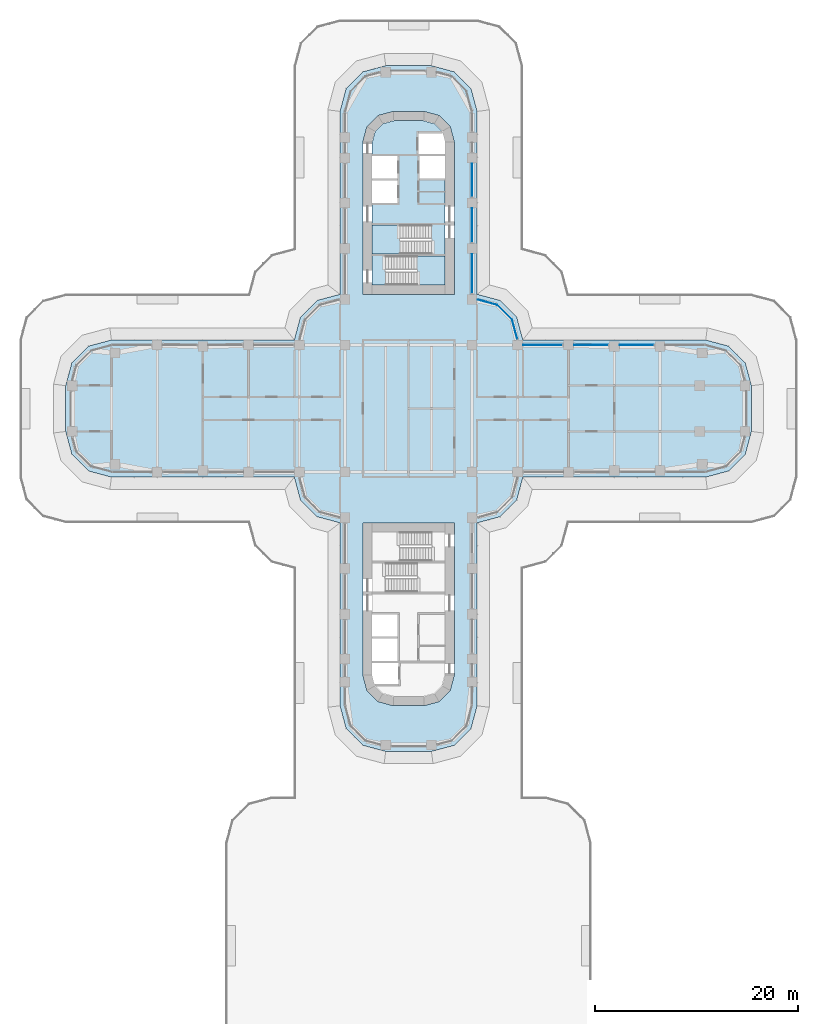
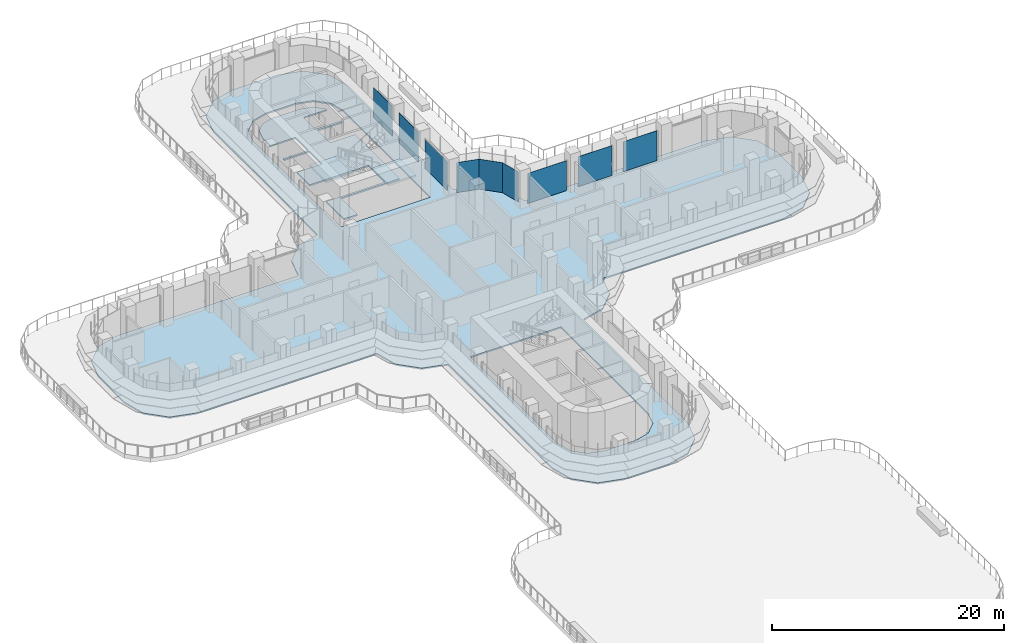
# One storey, part 15 of 26: 9 plates, 4 slabs, 7 elements without a shape of their own.
"""IFC4 building model written with IfcOpenShell, lengths in metres."""

import ifcopenshell
import ifcopenshell.guid

model = None  # the IFC model being written
_history = None  # IfcOwnerHistory: only IFC2X3 demands one
_inside = {}  # id of a spatial element -> (the spatial element, [elements in it])
_under = {}  # id of a project, library or spatial element -> (it, [spatial elements below it])
_declared = {}  # id of a project -> (the project, [libraries it declares])
_typed = {}  # id of a type object -> (the type object, [elements of that type])
_made_of = {}  # id of a material, layer set ... -> (it, [elements and type objects made of it])


def new_model(schema):
    """Start an empty IFC model of exactly this schema.

    Asked for "IFC4X3", IfcOpenShell would pick the latest addendum, in which some entities
    have other attributes; the version numbers below select the first issue.
    IFC2X3 requires an IfcOwnerHistory on every rooted entity: one is made here for all.
    """
    global model, _history
    if schema == "IFC4X3":
        model = ifcopenshell.file(schema_version=(4, 3, 0, 0))
    else:
        model = ifcopenshell.file(schema=schema)
    _inside.clear()
    _under.clear()
    _declared.clear()
    _typed.clear()
    _made_of.clear()
    _history = None
    if model.schema == "IFC2X3":
        org = make("IfcOrganization", Name="unknown")
        user = make(
            "IfcPersonAndOrganization",
            ThePerson=make("IfcPerson", FamilyName="unknown"),
            TheOrganization=org,
        )
        app = make(
            "IfcApplication",
            ApplicationDeveloper=org,
            Version="unknown",
            ApplicationFullName="unknown",
            ApplicationIdentifier="unknown",
        )
        _history = make(
            "IfcOwnerHistory",
            OwningUser=user,
            OwningApplication=app,
            ChangeAction="ADDED",
            CreationDate=0,
        )
    return model


def make(cls, **values):
    """One entity of the class cls with the attributes given. An attribute that is None is left unset."""
    return model.create_entity(
        cls, **{name: value for name, value in values.items() if value is not None}
    )


def rooted(cls, **values):
    """An entity with a GlobalId (a new one), such as an element, a storey or a relation."""
    return make(cls, GlobalId=ifcopenshell.guid.new(), OwnerHistory=_history, **values)


def si_unit(unit_type, name, prefix=None):
    """IfcSIUnit, for example si_unit("LENGTHUNIT", "METRE", prefix="MILLI")."""
    return make("IfcSIUnit", UnitType=unit_type, Prefix=prefix, Name=name)


def assignment(units):
    """IfcUnitAssignment: the units of a project."""
    return None if units is None else make("IfcUnitAssignment", Units=units)


def point(xyz):
    """IfcCartesianPoint."""
    return None if xyz is None else make("IfcCartesianPoint", Coordinates=xyz)


def direction(xyz):
    """IfcDirection."""
    return None if xyz is None else make("IfcDirection", DirectionRatios=xyz)


def frame(location, z_axis=None, x_axis=None):
    """IfcAxis2Placement3D, a coordinate frame: its origin and axes. An axis left out is left unset."""
    return make(
        "IfcAxis2Placement3D",
        Location=point(location),
        Axis=direction(z_axis),
        RefDirection=direction(x_axis),
    )


def origin():
    """The frame at (0, 0, 0) with its axes left unset."""
    return frame((0.0, 0.0, 0.0))


def place(relative_to, where):
    """IfcLocalPlacement: puts the frame where relative to a parent placement (None: the world)."""
    return make(
        "IfcLocalPlacement", PlacementRelTo=relative_to, RelativePlacement=where
    )


def context(
    kind, dimensions, precision=None, world=None, true_north=None, identifier=None
):
    """IfcGeometricRepresentationContext, for example the 3D "Model" context."""
    return make(
        "IfcGeometricRepresentationContext",
        ContextIdentifier=identifier,
        ContextType=kind,
        CoordinateSpaceDimension=dimensions,
        Precision=precision,
        WorldCoordinateSystem=world,
        TrueNorth=true_north,
    )


def subcontext(parent, identifier, kind, view, scale=None):
    """IfcGeometricRepresentationSubContext, for example "Body" below "Model"."""
    return make(
        "IfcGeometricRepresentationSubContext",
        ContextIdentifier=identifier,
        ContextType=kind,
        ParentContext=parent,
        TargetScale=scale,
        TargetView=view,
    )


def project(units=None, contexts=None):
    """IfcProject with its units and contexts."""
    return rooted(
        "IfcProject",
        Name="project",
        RepresentationContexts=contexts,
        UnitsInContext=assignment(units),
    )


def spatial(cls, under=None, at=None, **own):
    """A site, building, storey or space (cls), placed at a placement, below another one or the project."""
    s = rooted(cls, ObjectPlacement=at, **own)
    if under is not None:
        _under.setdefault(under.id(), (under, []))[1].append(s)
    return s


def polyline(points):
    """IfcPolyline through the points."""
    return make("IfcPolyline", Points=[point(p) for p in points])


def outline(outer, holes=None, kind="AREA"):
    """IfcArbitraryClosedProfileDef: a profile drawn as a closed curve; with holes, ...WithVoids."""
    if holes is None:
        return make("IfcArbitraryClosedProfileDef", ProfileType=kind, OuterCurve=outer)
    return make(
        "IfcArbitraryProfileDefWithVoids",
        ProfileType=kind,
        OuterCurve=outer,
        InnerCurves=holes,
    )


def extrude(swept, where, along, depth):
    """IfcExtrudedAreaSolid: the profile swept, set in the frame where, extruded along a direction by depth."""
    return make(
        "IfcExtrudedAreaSolid",
        SweptArea=swept,
        Position=where,
        ExtrudedDirection=direction(along),
        Depth=depth,
    )


def shape(context_of_items, identifier, shape_type, items):
    """IfcShapeRepresentation: the items that make up one representation, for example the "Body"."""
    return make(
        "IfcShapeRepresentation",
        ContextOfItems=context_of_items,
        RepresentationIdentifier=identifier,
        RepresentationType=shape_type,
        Items=items,
    )


def source(mapping_origin, context_of_items, identifier, shape_type, items):
    """IfcRepresentationMap: a shape defined once, which mapped items show again and again."""
    return make(
        "IfcRepresentationMap",
        MappingOrigin=mapping_origin,
        MappedRepresentation=shape(context_of_items, identifier, shape_type, items),
    )


def transform(
    local_origin,
    x_axis=None,
    y_axis=None,
    z_axis=None,
    scale=None,
    scale2=None,
    scale3=None,
    uniform=True,
):
    """IfcCartesianTransformationOperator3D, or its non-uniform kind. x_axis, y_axis, z_axis: its Axis1, 2, 3."""
    if uniform:
        return make(
            "IfcCartesianTransformationOperator3D",
            Axis1=direction(x_axis),
            Axis2=direction(y_axis),
            LocalOrigin=point(local_origin),
            Scale=scale,
            Axis3=direction(z_axis),
        )
    return make(
        "IfcCartesianTransformationOperator3DnonUniform",
        Axis1=direction(x_axis),
        Axis2=direction(y_axis),
        LocalOrigin=point(local_origin),
        Scale=scale,
        Axis3=direction(z_axis),
        Scale2=scale2,
        Scale3=scale3,
    )


def mapped(mapping_source, mapping_target):
    """IfcMappedItem: shows the shape of a source again, moved by a transform."""
    return make(
        "IfcMappedItem", MappingSource=mapping_source, MappingTarget=mapping_target
    )


def material(Name=None, Category=None):
    """IfcMaterial."""
    return make("IfcMaterial", Name=Name, Category=Category)


def layer(
    of_material, thickness, ventilated=None, Name=None, Category=None, Priority=None
):
    """IfcMaterialLayer: one layer of a wall or slab, of a material (None: an air gap)."""
    return make(
        "IfcMaterialLayer",
        Material=of_material,
        LayerThickness=thickness,
        IsVentilated=ventilated,
        Name=Name,
        Category=Category,
        Priority=Priority,
    )


def layer_set(layers, Name=None):
    """IfcMaterialLayerSet."""
    return make("IfcMaterialLayerSet", MaterialLayers=layers, LayerSetName=Name)


def made_of(thing, what):
    """Note that an element or type object is made of a material, layer set ...; save() writes the relation."""
    if what is not None:
        _made_of.setdefault(what.id(), (what, []))[1].append(thing)
    return thing


def type_object(cls, material=None, **own):
    """A type object (cls), such as IfcWallType, which elements share."""
    return made_of(rooted(cls, **own), material)


def element(
    cls,
    number,
    at=None,
    inside=None,
    cuts=None,
    type_object=None,
    material=None,
    context=None,
    identifier="Body",
    shape_type=None,
    held_by="IfcProductDefinitionShape",
    body=None,
    shapes=None,
    **own,
):
    """One element of the class cls, such as IfcWall. Its Tag is "e" and its number.

    at: its placement. inside: the storey or other place that contains it. cuts: it is an
    opening in that element (IfcRelVoidsElement). A single representation is given by context,
    identifier, shape_type and body (its items); several are given by shapes. held_by: the class
    of the entity that holds the representations. save() writes the other relations.
    """
    e = rooted(cls, Tag="e%d" % number, ObjectPlacement=at, **own)
    if body is not None:
        shapes = [shape(context, identifier, shape_type, body)]
    if shapes is not None:
        e.Representation = make(held_by, Representations=shapes)
    if inside is not None:
        _inside.setdefault(inside.id(), (inside, []))[1].append(e)
    if cuts is not None:
        rooted(
            "IfcRelVoidsElement", RelatingBuildingElement=cuts, RelatedOpeningElement=e
        )
    if type_object is not None:
        _typed.setdefault(type_object.id(), (type_object, []))[1].append(e)
    return made_of(e, material)


def aggregate(whole, parts):
    """IfcRelAggregates: a whole, such as a stair, and the parts it consists of."""
    return rooted("IfcRelAggregates", RelatingObject=whole, RelatedObjects=parts)


def save(model, path):
    """Write the relations noted so far, then the file.

    IfcRelAggregates (storeys below a building ...), IfcRelContainedInSpatialStructure (elements
    in a storey), IfcRelDefinesByType, IfcRelAssociatesMaterial and IfcRelDeclares: one each for
    every whole, place, type object, material and project.
    """
    for whole, parts in _under.values():
        aggregate(whole, parts)
    for where, things in _inside.values():
        rooted(
            "IfcRelContainedInSpatialStructure",
            RelatedElements=things,
            RelatingStructure=where,
        )
    for kind, things in _typed.values():
        rooted("IfcRelDefinesByType", RelatedObjects=things, RelatingType=kind)
    for what, things in _made_of.values():
        rooted("IfcRelAssociatesMaterial", RelatedObjects=things, RelatingMaterial=what)
    for by, libraries in _declared.values():
        rooted("IfcRelDeclares", RelatingContext=by, RelatedDefinitions=libraries)
    model.write(path)


model = new_model("IFC4")

# Units and contexts
model_context = context("Model", 3, precision=1e-05, world=origin(), true_north=direction((0.0, 1.0)))
body_context = subcontext(model_context, "Body", "Model", "MODEL_VIEW")
ifc_project = project(units=[si_unit("LENGTHUNIT", "METRE"), si_unit("AREAUNIT", "SQUARE_METRE"), si_unit("VOLUMEUNIT", "CUBIC_METRE"), si_unit("PLANEANGLEUNIT", "RADIAN"), si_unit("MASSUNIT", "GRAM", prefix="KILO")], contexts=[model_context])

# Site, building, storey
site_placement = place(None, origin())
site = spatial("IfcSite", under=ifc_project, at=site_placement, CompositionType="ELEMENT")
building_placement = place(site_placement, origin())
building = spatial("IfcBuilding", under=site, at=building_placement, Name="Zarbagh Exchange Tower", CompositionType="ELEMENT")
storey_placement = place(building_placement, frame((0.0, 0.0, 27.0)))
storey = spatial("IfcBuildingStorey", under=building, at=storey_placement, Name="L05", CompositionType="ELEMENT", Elevation=27.0)

# Slabs
ifc_material_1 = material(Name="Concrete C40/50", Category="concrete")
ifc_layer_1 = layer(ifc_material_1, 0.14990234375)
ifc_layer_set_1 = layer_set([ifc_layer_1], Name="Composite floor slab 150 C40/50")
slab_type_1 = type_object("IfcSlabType", Name="Composite floor slab 150 C40/50", PredefinedType="FLOOR", material=ifc_layer_set_1)
slab_1_placement = place(storey_placement, frame((0.0, 0.0, -0.14990234375)))
element("IfcSlab", 1, at=slab_1_placement, inside=storey, type_object=slab_type_1, Name="S5 composite floor slab", PredefinedType="FLOOR", context=body_context, shape_type="SweptSolid", body=[
    extrude(outline(polyline([(-2.25, -33.75), (-4.5, -33.147216796875), (-6.147216796875, -31.5), (-6.75, -29.25), (-6.75, -11.25), (-9.0, -10.647216796875), (-10.647216796875, -9.0), (-11.25, -6.75), (-29.25, -6.75), (-31.5, -6.147216796875), (-33.147216796875, -4.5), (-33.75, -2.25), (-33.75, 2.25), (-33.147216796875, 4.5), (-31.5, 6.147216796875), (-29.25, 6.75), (-11.25, 6.75), (-10.647216796875, 9.0), (-9.0, 10.647216796875), (-6.75, 11.25), (-6.75, 29.25), (-6.147216796875, 31.5), (-4.5, 33.147216796875), (-2.25, 33.75), (2.25, 33.75), (4.5, 33.147216796875), (6.147216796875, 31.5), (6.75, 29.25), (6.75, 11.25), (9.0, 10.647216796875), (10.647216796875, 9.0), (11.25, 6.75), (29.25, 6.75), (31.5, 6.147216796875), (33.147216796875, 4.5), (33.75, 2.25), (33.75, -2.25), (33.147216796875, -4.5), (31.5, -6.147216796875), (29.25, -6.75), (11.25, -6.75), (10.647216796875, -9.0), (9.0, -10.647216796875), (6.75, -11.25), (6.75, -29.25), (6.147216796875, -31.5), (4.5, -33.147216796875), (2.25, -33.75), (-2.25, -33.75)]), holes=[polyline([(4.5, 11.25), (4.5, 26.25), (4.09814453125, 27.75), (3.0, 28.84814453125), (1.5, 29.25), (-1.5, 29.25), (-3.0, 28.84814453125), (-4.09814453125, 27.75), (-4.5, 26.25), (-4.5, 11.25), (4.5, 11.25)]), polyline([(-1.5, -29.25), (1.5, -29.25), (3.0, -28.84814453125), (4.09814453125, -27.75), (4.5, -26.25), (4.5, -11.25), (-4.5, -11.25), (-4.5, -26.25), (-4.09814453125, -27.75), (-3.0, -28.84814453125), (-1.5, -29.25)])]), origin(), (0.0, 0.0, 1.0), 0.14990234375),
])
ifc_layer_2 = layer(ifc_material_1, 0.14990234375)
ifc_layer_set_2 = layer_set([ifc_layer_2], Name="Core floor slab 150 C40/50")
slab_type_2 = type_object("IfcSlabType", Name="Core floor slab 150 C40/50", PredefinedType="FLOOR", material=ifc_layer_set_2)
slab_2_placement = place(storey_placement, frame((0.0, 0.0, -0.14990234375)))
element("IfcSlab", 2, at=slab_2_placement, inside=storey, type_object=slab_type_2, Name="S17 core N", PredefinedType="FLOOR", context=body_context, shape_type="SweptSolid", body=[
    extrude(outline(polyline([(-3.60009765625, 12.14990234375), (-3.60009765625, 15.199951171875), (2.25, 15.199951171875), (2.25, 18.050048828125), (-3.60009765625, 18.050048828125), (-3.60009765625, 20.25), (-1.10009765625, 20.25), (-1.10009765625, 22.449951171875), (-3.60009765625, 22.449951171875), (-3.60009765625, 22.64990234375), (-1.10009765625, 22.64990234375), (-1.10009765625, 24.85009765625), (-3.60009765625, 24.85009765625), (-3.60009765625, 26.131591796875), (-3.291259765625, 27.2841796875), (-2.5341796875, 28.041259765625), (-1.381591796875, 28.35009765625), (1.381591796875, 28.35009765625), (2.5341796875, 28.041259765625), (3.291259765625, 27.2841796875), (3.340576171875, 27.10009765625), (1.0, 27.10009765625), (1.0, 25.050048828125), (3.60009765625, 25.050048828125), (3.60009765625, 24.85009765625), (1.10009765625, 24.85009765625), (1.10009765625, 22.64990234375), (3.60009765625, 22.64990234375), (3.60009765625, 15.0), (-2.25, 15.0), (-2.25, 12.14990234375), (-3.60009765625, 12.14990234375)])), origin(), (0.0, 0.0, 1.0), 0.14990234375),
])

# Stair, slab
stair_type = type_object("IfcStairType", Name="Exit stair two-flight half-turn", PredefinedType="HALF_TURN_STAIR", material=ifc_material_1)
stair_1_placement = place(storey_placement, origin())
stair_1 = element("IfcStair", 3, at=stair_1_placement, inside=storey, type_object=stair_type, Name="exit stair ST1", PredefinedType="HALF_TURN_STAIR")
ifc_layer_3 = layer(ifc_material_1, 0.199951171875)
ifc_layer_set_3 = layer_set([ifc_layer_3], Name="Stair landing 200 mm")
slab_type_3 = type_object("IfcSlabType", Name="Stair landing 200 mm", PredefinedType="LANDING", material=ifc_layer_set_3)
slab_3_placement = place(storey_placement, frame((0.0, 0.0, 1.89990234375)))
slab_3 = element("IfcSlab", 4, at=slab_3_placement, type_object=slab_type_3, Name="ST1 landing 1", PredefinedType="LANDING", context=body_context, shape_type="SweptSolid", body=[
    extrude(outline(polyline([(-0.830078125, 18.050048828125), (-3.60009765625, 18.050048828125), (-3.60009765625, 15.199951171875), (-0.830078125, 15.199951171875), (-0.830078125, 18.050048828125)])), origin(), (0.0, 0.0, 1.0), 0.2001953125),
])
aggregate(stair_1, [slab_3])

stair_2_placement = place(storey_placement, origin())
stair_2 = element("IfcStair", 5, at=stair_2_placement, inside=storey, type_object=stair_type, Name="exit stair ST2", PredefinedType="HALF_TURN_STAIR")
slab_4_placement = place(storey_placement, frame((0.0, 0.0, 1.89990234375)))
slab_4 = element("IfcSlab", 6, at=slab_4_placement, type_object=slab_type_3, Name="ST2 landing 1", PredefinedType="LANDING", context=body_context, shape_type="SweptSolid", body=[
    extrude(outline(polyline([(0.830078125, 12.14990234375), (3.60009765625, 12.14990234375), (3.60009765625, 15.0), (0.830078125, 15.0), (0.830078125, 12.14990234375)])), origin(), (0.0, 0.0, 1.0), 0.2001953125),
])
aggregate(stair_2, [slab_4])

# Curtain wall, plate
ifc_material_2 = material(Name="Anodised aluminium frame and glazing", Category="aluminium")
curtain_wall_type = type_object("IfcCurtainWallType", Name="CWA Ribbon glazing, lower zones", PredefinedType="NOTDEFINED", material=ifc_material_2)
curtain_wall_1_placement = place(storey_placement, origin())
curtain_wall_1 = element("IfcCurtainWall", 7, at=curtain_wall_1_placement, inside=storey, type_object=curtain_wall_type, Name="CWA18 curtain wall", PredefinedType="NOTDEFINED")
ifc_material_3 = material(Name="Low-e double glazed unit, 6+12+6 mm")
ifc_layer_4 = layer(ifc_material_3, 0.028076171875)
ifc_layer_set_4 = layer_set([ifc_layer_4], Name="PAA Glazing panel, Low-e double glazed unit, 6+12+6 mm")
plate_type = type_object("IfcPlateType", Name="PAA Glazing panel, Low-e double glazed unit, 6+12+6 mm", PredefinedType="CURTAIN_PANEL", material=ifc_layer_set_4)
shared_shape_1 = source(origin(), body_context, "Body", "SweptSolid", [
    extrude(outline(polyline([(0.0, -0.013916015625), (2.061279296875, -0.013916015625), (2.061279296875, 0.013916015625), (0.0, 0.013916015625), (0.0, -0.013916015625)])), origin(), (0.0, 0.0, 1.0), 3.14990234375),
])
placement = place(storey_placement, origin())
plate_1 = element("IfcPlate", 8, at=placement, type_object=plate_type, Name="CWA18 glazing panel 1.1", PredefinedType="CURTAIN_PANEL", context=body_context, shape_type="MappedRepresentation", body=[
    mapped(shared_shape_1, transform((10.19873046875, 8.7412109375, 0.0), x_axis=(-0.707106781187, 0.707106781187, 0.0), y_axis=(-0.707106781187, -0.707106781187, 0.0), z_axis=(0.0, 0.0, 1.0))),
])
aggregate(curtain_wall_1, [plate_1])

curtain_wall_2_placement = place(storey_placement, origin())
curtain_wall_2 = element("IfcCurtainWall", 9, at=curtain_wall_2_placement, inside=storey, type_object=curtain_wall_type, Name="CWA20 curtain wall", PredefinedType="NOTDEFINED")
shared_shape_2 = source(origin(), body_context, "Body", "SweptSolid", [
    extrude(outline(polyline([(0.0, -0.013916015625), (3.260009765625, -0.013916015625), (3.260009765625, 0.013916015625), (0.0, 0.013916015625), (0.0, -0.013916015625)])), origin(), (0.0, 0.0, 1.0), 3.14990234375),
])
plate_2 = element("IfcPlate", 10, at=placement, type_object=plate_type, Name="CWA20 glazing panel 3.1", PredefinedType="CURTAIN_PANEL", context=body_context, shape_type="MappedRepresentation", body=[
    mapped(shared_shape_2, transform((6.25, 20.85009765625, 0.0), x_axis=(0.0, 1.0, 0.0), y_axis=(-1.0, 0.0, 0.0), z_axis=(0.0, 0.0, 1.0))),
])

# Curtain wall, plates
curtain_wall_3_placement = place(storey_placement, origin())
curtain_wall_3 = element("IfcCurtainWall", 11, at=curtain_wall_3_placement, inside=storey, type_object=curtain_wall_type, Name="CWA16 curtain wall", PredefinedType="NOTDEFINED")
shared_shape_3 = source(origin(), body_context, "Body", "SweptSolid", [
    extrude(outline(polyline([(0.0, -0.013916015625), (3.360107421875, -0.013916015625), (3.360107421875, 0.013916015625), (0.0, 0.013916015625), (0.0, -0.013916015625)])), origin(), (0.0, 0.0, 1.0), 3.14990234375),
])
plate_3 = element("IfcPlate", 12, at=placement, type_object=plate_type, Name="CWA16 glazing panel 2.1", PredefinedType="CURTAIN_PANEL", context=body_context, shape_type="MappedRepresentation", body=[
    mapped(shared_shape_3, transform((24.14990234375, 6.25, 0.0), x_axis=(-1.0, 0.0, 0.0), y_axis=(0.0, -1.0, 0.0), z_axis=(0.0, 0.0, 1.0))),
])
plate_4 = element("IfcPlate", 13, at=placement, type_object=plate_type, Name="CWA16 glazing panel 3.1", PredefinedType="CURTAIN_PANEL", context=body_context, shape_type="MappedRepresentation", body=[
    mapped(shared_shape_3, transform((19.64990234375, 6.25, 0.0), x_axis=(-1.0, 0.0, 0.0), y_axis=(0.0, -1.0, 0.0), z_axis=(0.0, 0.0, 1.0))),
])

# Plate
plate_5 = element("IfcPlate", 14, at=placement, type_object=plate_type, Name="CWA20 glazing panel 2.1", PredefinedType="CURTAIN_PANEL", context=body_context, shape_type="MappedRepresentation", body=[
    mapped(shared_shape_3, transform((6.25, 16.35009765625, 0.0), x_axis=(0.0, 1.0, 0.0), y_axis=(-1.0, 0.0, 0.0), z_axis=(0.0, 0.0, 1.0))),
])

# Curtain wall, plate
curtain_wall_4_placement = place(storey_placement, origin())
curtain_wall_4 = element("IfcCurtainWall", 15, at=curtain_wall_4_placement, inside=storey, type_object=curtain_wall_type, Name="CWA17 curtain wall", PredefinedType="NOTDEFINED")
shared_shape_4 = source(origin(), body_context, "Body", "SweptSolid", [
    extrude(outline(polyline([(0.0, -0.013916015625), (1.9599609375, -0.013916015625), (1.9599609375, 0.013916015625), (0.0, 0.013916015625), (0.0, -0.013916015625)])), origin(), (0.0, 0.0, 1.0), 3.14990234375),
])
plate_6 = element("IfcPlate", 16, at=placement, type_object=plate_type, Name="CWA17 glazing panel 1.1", PredefinedType="CURTAIN_PANEL", context=body_context, shape_type="MappedRepresentation", body=[
    mapped(shared_shape_4, transform((10.7060546875, 6.847900390625, 0.0), x_axis=(-0.258824779902, 0.965924289636, 0.0), y_axis=(-0.965924289636, -0.258824779902, 0.0), z_axis=(0.0, 0.0, 1.0))),
])
aggregate(curtain_wall_4, [plate_6])

curtain_wall_5_placement = place(storey_placement, origin())
curtain_wall_5 = element("IfcCurtainWall", 17, at=curtain_wall_5_placement, inside=storey, type_object=curtain_wall_type, Name="CWA19 curtain wall", PredefinedType="NOTDEFINED")
shared_shape_5 = source(origin(), body_context, "Body", "SweptSolid", [
    extrude(outline(polyline([(0.0, -0.013916015625), (2.02001953125, -0.013916015625), (2.02001953125, 0.013916015625), (0.0, 0.013916015625), (0.0, -0.013916015625)])), origin(), (0.0, 0.0, 1.0), 3.14990234375),
])
plate_7 = element("IfcPlate", 18, at=placement, type_object=plate_type, Name="CWA19 glazing panel 1.1", PredefinedType="CURTAIN_PANEL", context=body_context, shape_type="MappedRepresentation", body=[
    mapped(shared_shape_5, transform((8.7412109375, 10.19873046875, 0.0), x_axis=(-0.965924289636, 0.258824779902, 0.0), y_axis=(-0.258824779902, -0.965924289636, 0.0), z_axis=(0.0, 0.0, 1.0))),
])
aggregate(curtain_wall_5, [plate_7])

# Plate
shared_shape_6 = source(origin(), body_context, "Body", "SweptSolid", [
    extrude(outline(polyline([(0.0, -0.013916015625), (3.860107421875, -0.013916015625), (3.860107421875, 0.013916015625), (0.0, 0.013916015625), (0.0, -0.013916015625)])), origin(), (0.0, 0.0, 1.0), 3.090087890625),
])
plate_8 = element("IfcPlate", 19, at=placement, type_object=plate_type, Name="CWA20 glazing panel 1.1", PredefinedType="CURTAIN_PANEL", context=body_context, shape_type="MappedRepresentation", body=[
    mapped(shared_shape_6, transform((6.25, 11.35009765625, 0.0), x_axis=(0.0, 1.0, 0.0), y_axis=(-1.0, 0.0, 0.0), z_axis=(0.0, 0.0, 1.0))),
])

aggregate(curtain_wall_2, [plate_8, plate_5, plate_2])

shared_shape_7 = source(origin(), body_context, "Body", "SweptSolid", [
    extrude(outline(polyline([(0.0, -0.013916015625), (3.860107421875, -0.013916015625), (3.860107421875, 0.013916015625), (0.0, 0.013916015625), (0.0, -0.013916015625)])), origin(), (0.0, 0.0, 1.0), 3.14990234375),
])
plate_9 = element("IfcPlate", 20, at=placement, type_object=plate_type, Name="CWA16 glazing panel 4.1", PredefinedType="CURTAIN_PANEL", context=body_context, shape_type="MappedRepresentation", body=[
    mapped(shared_shape_7, transform((15.14990234375, 6.25, 0.0), x_axis=(-1.0, 0.0, 0.0), y_axis=(0.0, -1.0, 0.0), z_axis=(0.0, 0.0, 1.0))),
])

aggregate(curtain_wall_3, [plate_3, plate_4, plate_9])

save(model, "model.ifc")
